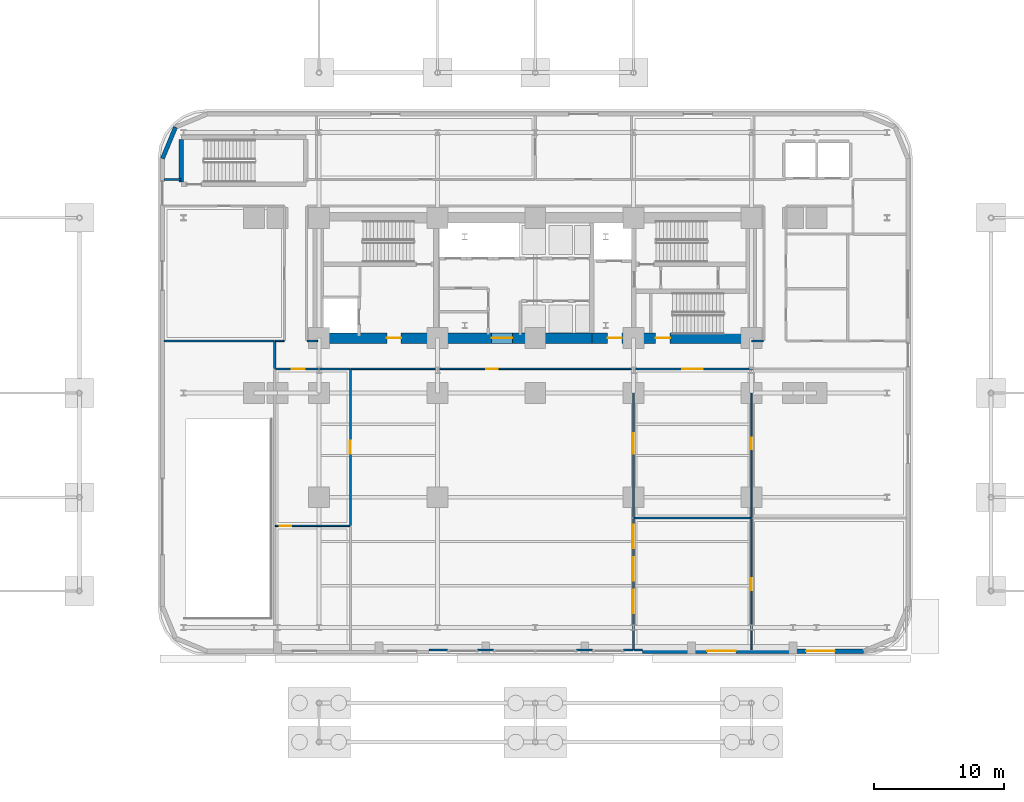
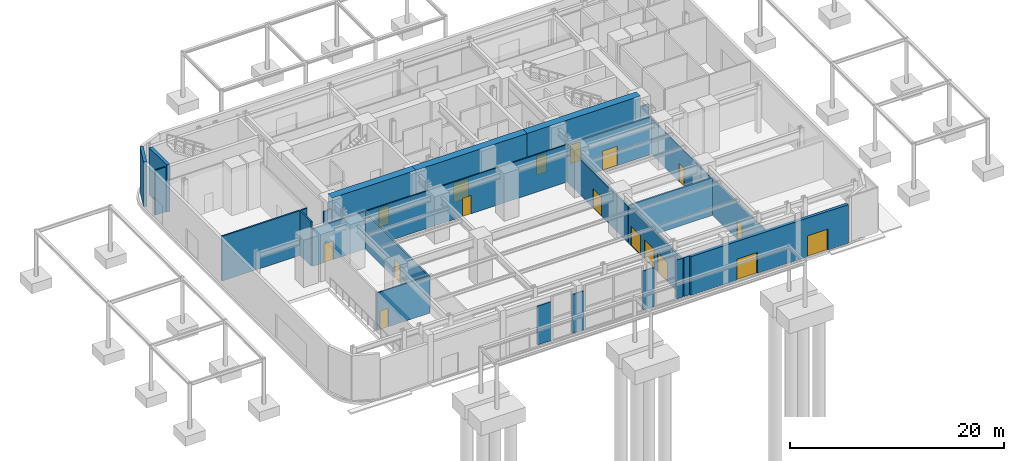
# One storey, part 12 of 21: 27 walls, 17 doors, 17 openings.
"""IFC4 building model written with IfcOpenShell, lengths in metres."""

from ifc_helpers import new_model, si_unit, direction, frame, frame_2d, origin, place, context, subcontext, project, spatial, rectangle, extrude, material, layer, layer_set, type_object, element, fill, save


model = new_model("IFC4")

# Units and contexts
model_context = context("Model", 3, precision=1e-05, world=origin(), true_north=direction((0.0, 1.0)))
body_context = subcontext(model_context, "Body", "Model", "MODEL_VIEW")
ifc_project = project(units=[si_unit("LENGTHUNIT", "METRE"), si_unit("AREAUNIT", "SQUARE_METRE"), si_unit("VOLUMEUNIT", "CUBIC_METRE"), si_unit("PLANEANGLEUNIT", "RADIAN"), si_unit("MASSUNIT", "GRAM", prefix="KILO")], contexts=[model_context])

# Site, building, storey
site_placement = place(None, origin())
site = spatial("IfcSite", under=ifc_project, at=site_placement, CompositionType="ELEMENT")
building_placement = place(site_placement, origin())
building = spatial("IfcBuilding", under=site, at=building_placement, Name="Zarnavel Station Tower", CompositionType="ELEMENT")
storey_placement = place(building_placement, origin())
storey = spatial("IfcBuildingStorey", under=building, at=storey_placement, Name="L01", CompositionType="ELEMENT", Elevation=0.0)

# Wall
ifc_material_1 = material(Name="Concrete C50/60", Category="concrete")
ifc_layer_1 = layer(ifc_material_1, 0.35009765625)
ifc_layer_set_1 = layer_set([ifc_layer_1], Name="CW_350")
wall_type_1 = type_object("IfcWallType", Name="CW_350", PredefinedType="SHEAR", material=ifc_layer_set_1)
wall_1_placement = place(storey_placement, frame((1.6201171875, 39.794921875, 0.0), z_axis=(0.0, 0.0, 1.0), x_axis=(0.0, 1.0, 0.0)))
element("IfcWall", 1, at=wall_1_placement, inside=storey, type_object=wall_type_1, Name="L01 Rear Core Shear Wall ST4-W", PredefinedType="SHEAR", context=body_context, shape_type="SweptSolid", body=[
    extrude(rectangle(XDim=3.27001953125, YDim=0.35009765625, at=frame_2d((1.635009765625, 0.0))), origin(), (0.0, 0.0, 1.0), 5.39990234375),
])

# Wall, opening, door
ifc_material_2 = material(Name="Concrete C60/75", Category="concrete")
ifc_layer_2 = layer(ifc_material_2, 0.800048828125)
ifc_layer_set_2 = layer_set([ifc_layer_2], Name="CW_800")
wall_type_2 = type_object("IfcWallType", Name="CW_800", PredefinedType="SHEAR", material=ifc_layer_set_2)
wall_2_placement = place(storey_placement, frame((21.179931640625, 27.820068359375, 0.0), z_axis=(0.0, 0.0, 1.0), x_axis=(-1.0, 0.0, 0.0)))
wall_2 = element("IfcWall", 2, at=wall_2_placement, inside=storey, type_object=wall_type_2, Name="L01 Rear Core Shear Wall S-W", PredefinedType="SHEAR", context=body_context, shape_type="SweptSolid", body=[
    extrude(rectangle(XDim=9.030029296875, YDim=0.800048828125, at=frame_2d((4.51513671875, 0.0))), origin(), (0.0, 0.0, 1.0), 5.39990234375),
])
opening_1_placement = place(wall_2_placement, frame((2.679931640625, 0.0, 0.0)))
opening_1 = element("IfcOpeningElement", 3, at=opening_1_placement, cuts=wall_2, Name="Opening FD01", PredefinedType="OPENING", context=body_context, shape_type="SweptSolid", body=[
    extrude(rectangle(XDim=1.10009765625, YDim=2.14990234375, at=frame_2d((0.550048828125, 1.074951171875))), frame((0.0, 0.409912109375, 0.0), z_axis=(0.0, -1.0, 0.0), x_axis=(1.0, 0.0, 0.0)), (0.0, 0.0, 1.0), 0.820068359375),
])
ifc_material_3 = material(Name="Painted Galvanised Steel and Hardwood Leaf", Category="steel")
door_type_1 = type_object("IfcDoorType", Name="ID_STAIR_1100", OperationType="NOTDEFINED", PredefinedType="DOOR", material=ifc_material_3)
door_1_placement = place(opening_1_placement, origin())
door_1 = element("IfcDoor", 4, at=door_1_placement, inside=storey, type_object=door_type_1, Name="L01 West Firefighting Lobby Door", OperationType="SINGLE_SWING_RIGHT", OverallHeight=2.14990234375, OverallWidth=1.10009765625, PredefinedType="DOOR", context=body_context, shape_type="SweptSolid", body=[
    extrude(rectangle(XDim=1.10009765625, YDim=2.14990234375, at=frame_2d((0.550048828125, 1.074951171875))), frame((0.0, 0.02490234375, 0.0), z_axis=(0.0, -1.0, 0.0), x_axis=(1.0, 0.0, 0.0)), (0.0, 0.0, 1.0), 0.050048828125),
])
fill(opening_1, door_1)

wall_3_placement = place(storey_placement, frame((33.14990234375, 27.820068359375, 0.0), z_axis=(0.0, 0.0, 1.0), x_axis=(-1.0, 0.0, 0.0)))
wall_3 = element("IfcWall", 5, at=wall_3_placement, inside=storey, type_object=wall_type_2, Name="L01 Rear Core Shear Wall S-M", PredefinedType="SHEAR", context=body_context, shape_type="SweptSolid", body=[
    extrude(rectangle(XDim=11.969970703125, YDim=0.800048828125, at=frame_2d((5.98486328125, 0.0))), origin(), (0.0, 0.0, 1.0), 5.39990234375),
])
opening_2_placement = place(wall_3_placement, frame((6.10009765625, 0.0, 0.0)))
opening_2 = element("IfcOpeningElement", 6, at=opening_2_placement, cuts=wall_3, Name="Opening ID03", PredefinedType="OPENING", context=body_context, shape_type="SweptSolid", body=[
    extrude(rectangle(XDim=1.60009765625, YDim=2.199951171875, at=frame_2d((0.800048828125, 1.10009765625))), frame((0.0, 0.409912109375, 0.0), z_axis=(0.0, -1.0, 0.0), x_axis=(1.0, 0.0, 0.0)), (0.0, 0.0, 1.0), 0.820068359375),
])
ifc_material_4 = material(Name="Painted Galvanised Steel and Hardwood Leaf", Category="steel")
door_type_2 = type_object("IfcDoorType", Name="ID_PUBLIC_1600", OperationType="DOUBLE_DOOR_SINGLE_SWING", PredefinedType="DOOR", material=ifc_material_4)
door_2_placement = place(opening_2_placement, origin())
door_2 = element("IfcDoor", 7, at=door_2_placement, inside=storey, type_object=door_type_2, Name="L01 Passenger Lift Lobby Double Door", OperationType="SINGLE_SWING_LEFT", OverallHeight=2.199951171875, OverallWidth=1.60009765625, PredefinedType="DOOR", context=body_context, shape_type="SweptSolid", body=[
    extrude(rectangle(XDim=1.60009765625, YDim=2.199951171875, at=frame_2d((0.800048828125, 1.10009765625))), frame((0.0, 0.02490234375, 0.0), z_axis=(0.0, -1.0, 0.0), x_axis=(1.0, 0.0, 0.0)), (0.0, 0.0, 1.0), 0.050048828125),
])
fill(opening_2, door_2)

# Wall, openings, doors
wall_4_placement = place(storey_placement, frame((45.3798828125, 27.820068359375, 0.0), z_axis=(0.0, 0.0, 1.0), x_axis=(-1.0, 0.0, 0.0)))
wall_4 = element("IfcWall", 8, at=wall_4_placement, inside=storey, type_object=wall_type_2, Name="L01 Rear Core Shear Wall S-E", PredefinedType="SHEAR", context=body_context, shape_type="SweptSolid", body=[
    extrude(rectangle(XDim=12.22998046875, YDim=0.800048828125, at=frame_2d((6.114990234375, 0.0))), origin(), (0.0, 0.0, 1.0), 5.39990234375),
])
opening_3_placement = place(wall_4_placement, frame((9.929931640625, 0.0, 0.0)))
opening_3 = element("IfcOpeningElement", 9, at=opening_3_placement, cuts=wall_4, Name="Opening FD01", PredefinedType="OPENING", context=body_context, shape_type="SweptSolid", body=[
    extrude(rectangle(XDim=1.10009765625, YDim=2.14990234375, at=frame_2d((0.550048828125, 1.074951171875))), frame((0.0, 0.409912109375, 0.0), z_axis=(0.0, -1.0, 0.0), x_axis=(1.0, 0.0, 0.0)), (0.0, 0.0, 1.0), 0.820068359375),
])
opening_4_placement = place(wall_4_placement, frame((6.22998046875, 0.0, 0.0)))
opening_4 = element("IfcOpeningElement", 10, at=opening_4_placement, cuts=wall_4, Name="Opening FD01", PredefinedType="OPENING", context=body_context, shape_type="SweptSolid", body=[
    extrude(rectangle(XDim=1.10009765625, YDim=2.14990234375, at=frame_2d((0.550048828125, 1.074951171875))), frame((0.0, 0.409912109375, 0.0), z_axis=(0.0, -1.0, 0.0), x_axis=(1.0, 0.0, 0.0)), (0.0, 0.0, 1.0), 0.820068359375),
])
door_3_placement = place(opening_3_placement, origin())
door_3 = element("IfcDoor", 11, at=door_3_placement, inside=storey, type_object=door_type_1, Name="L01 East Firefighting Lobby Door", OperationType="SINGLE_SWING_LEFT", OverallHeight=2.14990234375, OverallWidth=1.10009765625, PredefinedType="DOOR", context=body_context, shape_type="SweptSolid", body=[
    extrude(rectangle(XDim=1.10009765625, YDim=2.14990234375, at=frame_2d((0.550048828125, 1.074951171875))), frame((0.0, 0.02490234375, 0.0), z_axis=(0.0, -1.0, 0.0), x_axis=(1.0, 0.0, 0.0)), (0.0, 0.0, 1.0), 0.050048828125),
])
fill(opening_3, door_3)
door_4_placement = place(opening_4_placement, origin())
door_4 = element("IfcDoor", 12, at=door_4_placement, inside=storey, type_object=door_type_1, Name="L01 Stair ST3 Corridor Fire Door", OperationType="SINGLE_SWING_RIGHT", OverallHeight=2.14990234375, OverallWidth=1.10009765625, PredefinedType="DOOR", context=body_context, shape_type="SweptSolid", body=[
    extrude(rectangle(XDim=1.10009765625, YDim=2.14990234375, at=frame_2d((0.550048828125, 1.074951171875))), frame((0.0, 0.02490234375, 0.0), z_axis=(0.0, -1.0, 0.0), x_axis=(1.0, 0.0, 0.0)), (0.0, 0.0, 1.0), 0.050048828125),
])
fill(opening_4, door_4)

# Wall
ifc_material_5 = material(Name="Precast concrete C45/55 (Podium Basalt Frame)", Category="masonry")
ifc_layer_3 = layer(ifc_material_5, 0.320068359375)
ifc_layer_set_3 = layer_set([ifc_layer_3], Name="EW_BASALT_320")
wall_type_3 = type_object("IfcWallType", Name="EW_BASALT_320", PredefinedType="SOLIDWALL", material=ifc_layer_set_3)
wall_5_placement = place(storey_placement, frame((0.179931640625, 41.60009765625, 0.0), z_axis=(0.0, 0.0, 1.0), x_axis=(0.382700522567, 0.923872453333, 0.0)))
element("IfcWall", 13, at=wall_5_placement, inside=storey, type_object=wall_type_3, Name="L01 Exterior Basalt Masonry Frame Wall 08", PredefinedType="SOLIDWALL", context=body_context, shape_type="SweptSolid", body=[
    extrude(rectangle(XDim=2.617431640625, YDim=0.320068359375, at=frame_2d((1.30859375, 0.0))), origin(), (0.0, 0.0, 1.0), 5.10009765625),
])

# Wall, openings, doors
wall_6_placement = place(storey_placement, frame((54.0, 3.780029296875, 0.0), z_axis=(0.0, 0.0, 1.0), x_axis=(-1.0, 0.0, 0.0)))
wall_6 = element("IfcWall", 14, at=wall_6_placement, inside=storey, type_object=wall_type_3, Name="L01 South East Masonry Facade Wall", PredefinedType="SOLIDWALL", context=body_context, shape_type="SweptSolid", body=[
    extrude(rectangle(XDim=16.949951171875, YDim=0.320068359375, at=frame_2d((8.47509765625, 0.0))), origin(), (0.0, 0.0, 1.0), 4.429931640625),
])
opening_5_placement = place(wall_6_placement, frame((2.199951171875, 0.0, 0.0)))
opening_5 = element("IfcOpeningElement", 15, at=opening_5_placement, cuts=wall_6, Name="Opening ED01", PredefinedType="OPENING", context=body_context, shape_type="SweptSolid", body=[
    extrude(rectangle(XDim=2.199951171875, YDim=2.39990234375, at=frame_2d((1.10009765625, 1.199951171875))), frame((0.0, 0.169921875, 0.0), z_axis=(0.0, -1.0, 0.0), x_axis=(1.0, 0.0, 0.0)), (0.0, 0.0, 1.0), 0.340087890625),
])
opening_6_placement = place(wall_6_placement, frame((9.800048828125, 0.0, 0.0)))
opening_6 = element("IfcOpeningElement", 16, at=opening_6_placement, cuts=wall_6, Name="Opening ED01", PredefinedType="OPENING", context=body_context, shape_type="SweptSolid", body=[
    extrude(rectangle(XDim=2.199951171875, YDim=2.39990234375, at=frame_2d((1.10009765625, 1.199951171875))), frame((0.0, 0.169921875, 0.0), z_axis=(0.0, -1.0, 0.0), x_axis=(1.0, 0.0, 0.0)), (0.0, 0.0, 1.0), 0.340087890625),
])
ifc_material_6 = material(Name="Thermally Broken Black Aluminium and Laminated Safety Glass", Category="aluminium")
door_type_3 = type_object("IfcDoorType", Name="ED_EXIT_2200", OperationType="DOUBLE_DOOR_SINGLE_SWING", PredefinedType="DOOR", material=ifc_material_6)
door_5_placement = place(opening_5_placement, origin())
door_5 = element("IfcDoor", 17, at=door_5_placement, inside=storey, type_object=door_type_3, Name="L01 East Ticket Vestibule Entrance Door", OperationType="SINGLE_SWING_LEFT", OverallHeight=2.39990234375, OverallWidth=2.199951171875, PredefinedType="DOOR", context=body_context, shape_type="SweptSolid", body=[
    extrude(rectangle(XDim=2.199951171875, YDim=2.39990234375, at=frame_2d((1.10009765625, 1.199951171875))), frame((0.0, 0.02490234375, 0.0), z_axis=(0.0, -1.0, 0.0), x_axis=(1.0, 0.0, 0.0)), (0.0, 0.0, 1.0), 0.050048828125),
])
fill(opening_5, door_5)
door_6_placement = place(opening_6_placement, origin())
door_6 = element("IfcDoor", 18, at=door_6_placement, inside=storey, type_object=door_type_3, Name="L01 South Ticket Hall Exit Door", OperationType="SINGLE_SWING_LEFT", OverallHeight=2.39990234375, OverallWidth=2.199951171875, PredefinedType="DOOR", context=body_context, shape_type="SweptSolid", body=[
    extrude(rectangle(XDim=2.199951171875, YDim=2.39990234375, at=frame_2d((1.10009765625, 1.199951171875))), frame((0.0, 0.02490234375, 0.0), z_axis=(0.0, -1.0, 0.0), x_axis=(1.0, 0.0, 0.0)), (0.0, 0.0, 1.0), 0.050048828125),
])
fill(opening_6, door_6)

# Wall, opening, door
ifc_material_7 = material(Name="Gypsum Twin-Stud Acoustic Fire Partition", Category="concrete")
ifc_layer_4 = layer(ifc_material_7, 0.159912109375)
ifc_layer_set_4 = layer_set([ifc_layer_4], Name="PT_DEMISE_160")
wall_type_4 = type_object("IfcWallType", Name="PT_DEMISE_160", PredefinedType="PARTITIONING", material=ifc_layer_set_4)
wall_7_placement = place(storey_placement, frame((36.389892578125, 25.449951171875, 0.0), z_axis=(0.0, 0.0, 1.0), x_axis=(1.0, 0.0, 0.0)))
wall_7 = element("IfcWall", 19, at=wall_7_placement, inside=storey, type_object=wall_type_4, Name="L01 Partition PCOR-S-HLOB", PredefinedType="PARTITIONING", context=body_context, shape_type="SweptSolid", body=[
    extrude(rectangle(XDim=8.97021484375, YDim=0.159912109375, at=frame_2d((4.485107421875, 0.0))), origin(), (0.0, 0.0, 1.0), 4.26611328125),
])
opening_7_placement = place(wall_7_placement, frame((3.68505859375, 0.0, 0.0)))
opening_7 = element("IfcOpeningElement", 20, at=opening_7_placement, cuts=wall_7, Name="Opening ID03", PredefinedType="OPENING", context=body_context, shape_type="SweptSolid", body=[
    extrude(rectangle(XDim=1.60009765625, YDim=2.199951171875, at=frame_2d((0.800048828125, 1.10009765625))), frame((0.0, 0.08984375, 0.0), z_axis=(0.0, -1.0, 0.0), x_axis=(1.0, 0.0, 0.0)), (0.0, 0.0, 1.0), 0.179931640625),
])
door_7_placement = place(opening_7_placement, origin())
door_7 = element("IfcDoor", 21, at=door_7_placement, inside=storey, type_object=door_type_2, Name="L01 Door PCOR-S-HLOB", OperationType="SINGLE_SWING_LEFT", OverallHeight=2.199951171875, OverallWidth=1.60009765625, PredefinedType="DOOR", context=body_context, shape_type="SweptSolid", body=[
    extrude(rectangle(XDim=1.60009765625, YDim=2.199951171875, at=frame_2d((0.800048828125, 1.10009765625))), frame((0.0, 0.02490234375, 0.0), z_axis=(0.0, -1.0, 0.0), x_axis=(1.0, 0.0, 0.0)), (0.0, 0.0, 1.0), 0.050048828125),
])
fill(opening_7, door_7)

wall_8_placement = place(storey_placement, frame((8.840087890625, 25.449951171875, 0.0), z_axis=(0.0, 0.0, 1.0), x_axis=(1.0, 0.0, 0.0)))
wall_8 = element("IfcWall", 22, at=wall_8_placement, inside=storey, type_object=wall_type_4, Name="L01 Partition PCOR-S-SHP2", PredefinedType="PARTITIONING", context=body_context, shape_type="SweptSolid", body=[
    extrude(rectangle(XDim=5.719970703125, YDim=0.159912109375, at=frame_2d((2.85986328125, 0.0))), origin(), (0.0, 0.0, 1.0), 4.26611328125),
])
opening_8_placement = place(wall_8_placement, frame((1.25, 0.0, 0.0)))
opening_8 = element("IfcOpeningElement", 23, at=opening_8_placement, cuts=wall_8, Name="Opening FD02", PredefinedType="OPENING", context=body_context, shape_type="SweptSolid", body=[
    extrude(rectangle(XDim=1.0, YDim=2.14990234375, at=frame_2d((0.5, 1.074951171875))), frame((0.0, 0.08984375, 0.0), z_axis=(0.0, -1.0, 0.0), x_axis=(1.0, 0.0, 0.0)), (0.0, 0.0, 1.0), 0.179931640625),
])
ifc_material_8 = material(Name="Painted Galvanised Steel and Hardwood Leaf", Category="steel")
door_type_4 = type_object("IfcDoorType", Name="ID_ENTRY_1000", OperationType="NOTDEFINED", PredefinedType="DOOR", material=ifc_material_8)
door_8_placement = place(opening_8_placement, origin())
door_8 = element("IfcDoor", 24, at=door_8_placement, inside=storey, type_object=door_type_4, Name="L01 Door PCOR-S-SHP2", OperationType="SINGLE_SWING_RIGHT", OverallHeight=2.14990234375, OverallWidth=1.0, PredefinedType="DOOR", context=body_context, shape_type="SweptSolid", body=[
    extrude(rectangle(XDim=1.0, YDim=2.14990234375, at=frame_2d((0.5, 1.074951171875))), frame((0.0, 0.02490234375, 0.0), z_axis=(0.0, -1.0, 0.0), x_axis=(1.0, 0.0, 0.0)), (0.0, 0.0, 1.0), 0.050048828125),
])
fill(opening_8, door_8)

# Wall, openings, doors
wall_9_placement = place(storey_placement, frame((36.35009765625, 3.8798828125, 0.0), z_axis=(0.0, 0.0, 1.0), x_axis=(0.0, 1.0, 0.0)))
wall_9 = element("IfcWall", 25, at=wall_9_placement, inside=storey, type_object=wall_type_4, Name="L01 Partition CONC-TKTH", PredefinedType="PARTITIONING", context=body_context, shape_type="SweptSolid", body=[
    extrude(rectangle(XDim=10.080078125, YDim=0.159912109375, at=frame_2d((5.0400390625, 0.0))), origin(), (0.0, 0.0, 1.0), 4.26611328125),
])
opening_9_placement = place(wall_9_placement, frame((2.800048828125, 0.0, 0.0)))
opening_9 = element("IfcOpeningElement", 26, at=opening_9_placement, cuts=wall_9, Name="Opening GD01", PredefinedType="OPENING", context=body_context, shape_type="SweptSolid", body=[
    extrude(rectangle(XDim=1.800048828125, YDim=2.199951171875, at=frame_2d((0.89990234375, 1.10009765625))), frame((0.0, 0.08984375, 0.0), z_axis=(0.0, -1.0, 0.0), x_axis=(1.0, 0.0, 0.0)), (0.0, 0.0, 1.0), 0.179931640625),
])
opening_10_placement = place(wall_9_placement, frame((5.300048828125, 0.0, 0.0)))
opening_10 = element("IfcOpeningElement", 27, at=opening_10_placement, cuts=wall_9, Name="Opening GD01", PredefinedType="OPENING", context=body_context, shape_type="SweptSolid", body=[
    extrude(rectangle(XDim=1.800048828125, YDim=2.199951171875, at=frame_2d((0.89990234375, 1.10009765625))), frame((0.0, 0.08984375, 0.0), z_axis=(0.0, -1.0, 0.0), x_axis=(1.0, 0.0, 0.0)), (0.0, 0.0, 1.0), 0.179931640625),
])
opening_11_placement = place(wall_9_placement, frame((7.800048828125, 0.0, 0.0)))
opening_11 = element("IfcOpeningElement", 28, at=opening_11_placement, cuts=wall_9, Name="Opening GD01", PredefinedType="OPENING", context=body_context, shape_type="SweptSolid", body=[
    extrude(rectangle(XDim=1.800048828125, YDim=2.199951171875, at=frame_2d((0.89990234375, 1.10009765625))), frame((0.0, 0.08984375, 0.0), z_axis=(0.0, -1.0, 0.0), x_axis=(1.0, 0.0, 0.0)), (0.0, 0.0, 1.0), 0.179931640625),
])
ifc_material_9 = material(Name="Painted Galvanised Steel and Hardwood Leaf", Category="steel")
door_type_5 = type_object("IfcDoorType", Name="GD_CONC_1800", OperationType="DOUBLE_DOOR_SLIDING", PredefinedType="GATE", material=ifc_material_9)
door_9_placement = place(opening_9_placement, origin())
door_9 = element("IfcDoor", 29, at=door_9_placement, inside=storey, type_object=door_type_5, Name="L01 Station Fare-Control Sliding Gate 1", OperationType="DOUBLE_DOOR_SLIDING", OverallHeight=2.199951171875, OverallWidth=1.800048828125, PredefinedType="GATE", context=body_context, shape_type="SweptSolid", body=[
    extrude(rectangle(XDim=1.800048828125, YDim=2.199951171875, at=frame_2d((0.89990234375, 1.10009765625))), frame((0.0, 0.02490234375, 0.0), z_axis=(0.0, -1.0, 0.0), x_axis=(1.0, 0.0, 0.0)), (0.0, 0.0, 1.0), 0.050048828125),
])
fill(opening_9, door_9)
door_10_placement = place(opening_10_placement, origin())
door_10 = element("IfcDoor", 30, at=door_10_placement, inside=storey, type_object=door_type_5, Name="L01 Station Fare-Control Sliding Gate 2", OperationType="DOUBLE_DOOR_SLIDING", OverallHeight=2.199951171875, OverallWidth=1.800048828125, PredefinedType="GATE", context=body_context, shape_type="SweptSolid", body=[
    extrude(rectangle(XDim=1.800048828125, YDim=2.199951171875, at=frame_2d((0.89990234375, 1.10009765625))), frame((0.0, 0.02490234375, 0.0), z_axis=(0.0, -1.0, 0.0), x_axis=(1.0, 0.0, 0.0)), (0.0, 0.0, 1.0), 0.050048828125),
])
fill(opening_10, door_10)
door_11_placement = place(opening_11_placement, origin())
door_11 = element("IfcDoor", 31, at=door_11_placement, inside=storey, type_object=door_type_5, Name="L01 Station Fare-Control Sliding Gate 3", OperationType="DOUBLE_DOOR_SLIDING", OverallHeight=2.199951171875, OverallWidth=1.800048828125, PredefinedType="GATE", context=body_context, shape_type="SweptSolid", body=[
    extrude(rectangle(XDim=1.800048828125, YDim=2.199951171875, at=frame_2d((0.89990234375, 1.10009765625))), frame((0.0, 0.02490234375, 0.0), z_axis=(0.0, -1.0, 0.0), x_axis=(1.0, 0.0, 0.0)), (0.0, 0.0, 1.0), 0.050048828125),
])
fill(opening_11, door_11)

# Wall, opening, door
wall_10_placement = place(storey_placement, frame((36.35009765625, 14.0400390625, 0.0), z_axis=(0.0, 0.0, 1.0), x_axis=(0.0, 1.0, 0.0)))
wall_10 = element("IfcWall", 32, at=wall_10_placement, inside=storey, type_object=wall_type_4, Name="L01 Partition CONC-HLOB", PredefinedType="PARTITIONING", context=body_context, shape_type="SweptSolid", body=[
    extrude(rectangle(XDim=11.369873046875, YDim=0.159912109375, at=frame_2d((5.68505859375, 0.0))), origin(), (0.0, 0.0, 1.0), 4.072021484375),
])
opening_12_placement = place(wall_10_placement, frame((4.885009765625, 0.0, 0.0)))
opening_12 = element("IfcOpeningElement", 33, at=opening_12_placement, cuts=wall_10, Name="Opening ID03", PredefinedType="OPENING", context=body_context, shape_type="SweptSolid", body=[
    extrude(rectangle(XDim=1.60009765625, YDim=2.199951171875, at=frame_2d((0.800048828125, 1.10009765625))), frame((0.0, 0.08984375, 0.0), z_axis=(0.0, -1.0, 0.0), x_axis=(1.0, 0.0, 0.0)), (0.0, 0.0, 1.0), 0.179931640625),
])
door_12_placement = place(opening_12_placement, origin())
door_12 = element("IfcDoor", 34, at=door_12_placement, inside=storey, type_object=door_type_2, Name="L01 Door CONC-HLOB", OperationType="SINGLE_SWING_LEFT", OverallHeight=2.199951171875, OverallWidth=1.60009765625, PredefinedType="DOOR", context=body_context, shape_type="SweptSolid", body=[
    extrude(rectangle(XDim=1.60009765625, YDim=2.199951171875, at=frame_2d((0.800048828125, 1.10009765625))), frame((0.0, 0.02490234375, 0.0), z_axis=(0.0, -1.0, 0.0), x_axis=(1.0, 0.0, 0.0)), (0.0, 0.0, 1.0), 0.050048828125),
])
fill(opening_12, door_12)

wall_11_placement = place(storey_placement, frame((14.60009765625, 13.43994140625, 0.0), z_axis=(0.0, 0.0, 1.0), x_axis=(0.0, 1.0, 0.0)))
wall_11 = element("IfcWall", 35, at=wall_11_placement, inside=storey, type_object=wall_type_4, Name="L01 Partition CONC-SHP2", PredefinedType="PARTITIONING", context=body_context, shape_type="SweptSolid", body=[
    extrude(rectangle(XDim=11.969970703125, YDim=0.159912109375, at=frame_2d((5.98486328125, 0.0))), origin(), (0.0, 0.0, 1.0), 4.072021484375),
])
opening_13_placement = place(wall_11_placement, frame((5.485107421875, 0.0, 0.0)))
opening_13 = element("IfcOpeningElement", 36, at=opening_13_placement, cuts=wall_11, Name="Opening FD02", PredefinedType="OPENING", context=body_context, shape_type="SweptSolid", body=[
    extrude(rectangle(XDim=1.0, YDim=2.14990234375, at=frame_2d((0.5, 1.074951171875))), frame((0.0, 0.08984375, 0.0), z_axis=(0.0, -1.0, 0.0), x_axis=(1.0, 0.0, 0.0)), (0.0, 0.0, 1.0), 0.179931640625),
])
door_13_placement = place(opening_13_placement, origin())
door_13 = element("IfcDoor", 37, at=door_13_placement, inside=storey, type_object=door_type_4, Name="L01 Door CONC-SHP2", OperationType="SINGLE_SWING_LEFT", OverallHeight=2.14990234375, OverallWidth=1.0, PredefinedType="DOOR", context=body_context, shape_type="SweptSolid", body=[
    extrude(rectangle(XDim=1.0, YDim=2.14990234375, at=frame_2d((0.5, 1.074951171875))), frame((0.0, 0.02490234375, 0.0), z_axis=(0.0, -1.0, 0.0), x_axis=(1.0, 0.0, 0.0)), (0.0, 0.0, 1.0), 0.050048828125),
])
fill(opening_13, door_13)

# Walls
wall_12_placement = place(storey_placement, frame((36.389892578125, 14.0, 0.0), z_axis=(0.0, 0.0, 1.0), x_axis=(1.0, 0.0, 0.0)))
element("IfcWall", 38, at=wall_12_placement, inside=storey, type_object=wall_type_4, Name="L01 Partition TKTH-HLOB", PredefinedType="PARTITIONING", context=body_context, shape_type="SweptSolid", body=[
    extrude(rectangle(XDim=8.97021484375, YDim=0.159912109375, at=frame_2d((4.485107421875, 0.0))), origin(), (0.0, 0.0, 1.0), 4.26611328125),
])
wall_13_placement = place(storey_placement, frame((11.280029296875, 27.60009765625, 0.0), z_axis=(0.0, 0.0, 1.0), x_axis=(1.0, 0.0, 0.0)))
element("IfcWall", 39, at=wall_13_placement, inside=storey, type_object=wall_type_4, Name="L01 Enclosure Wall PCOR-S", PredefinedType="PARTITIONING", context=body_context, shape_type="SweptSolid", body=[
    extrude(rectangle(XDim=0.840087890625, YDim=0.159912109375, at=frame_2d((0.419921875, 0.0))), origin(), (0.0, 0.0, 1.0), 4.072021484375),
])
wall_14_placement = place(storey_placement, frame((45.409912109375, 27.60009765625, 0.0), z_axis=(0.0, 0.0, 1.0), x_axis=(1.0, 0.0, 0.0)))
element("IfcWall", 40, at=wall_14_placement, inside=storey, type_object=wall_type_4, Name="L01 Enclosure Wall PCOR-S", PredefinedType="PARTITIONING", context=body_context, shape_type="SweptSolid", body=[
    extrude(rectangle(XDim=0.91015625, YDim=0.159912109375, at=frame_2d((0.455078125, 0.0))), origin(), (0.0, 0.0, 1.0), 4.072021484375),
])
wall_15_placement = place(storey_placement, frame((8.800048828125, 25.47998046875, 0.0), z_axis=(0.0, 0.0, 1.0), x_axis=(0.0, 1.0, 0.0)))
element("IfcWall", 41, at=wall_15_placement, inside=storey, type_object=wall_type_4, Name="L01 Enclosure Wall PCOR-S", PredefinedType="PARTITIONING", context=body_context, shape_type="SweptSolid", body=[
    extrude(rectangle(XDim=2.090087890625, YDim=0.159912109375, at=frame_2d((1.044921875, 0.0))), origin(), (0.0, 0.0, 1.0), 5.10009765625),
])
wall_16_placement = place(storey_placement, frame((0.31005859375, 40.0, 0.0), z_axis=(0.0, 0.0, 1.0), x_axis=(1.0, 0.0, 0.0)))
element("IfcWall", 42, at=wall_16_placement, inside=storey, type_object=wall_type_4, Name="L01 Enclosure Wall PCOR-N", PredefinedType="PARTITIONING", context=body_context, shape_type="SweptSolid", body=[
    extrude(rectangle(XDim=1.280029296875, YDim=0.159912109375, at=frame_2d((0.64013671875, 0.0))), origin(), (0.0, 0.0, 1.0), 5.10009765625),
])
wall_17_placement = place(storey_placement, frame((0.31005859375, 27.60009765625, 0.0), z_axis=(0.0, 0.0, 1.0), x_axis=(1.0, 0.0, 0.0)))
element("IfcWall", 43, at=wall_17_placement, inside=storey, type_object=wall_type_4, Name="L01 Enclosure Wall PNW", PredefinedType="PARTITIONING", context=body_context, shape_type="SweptSolid", body=[
    extrude(rectangle(XDim=8.4599609375, YDim=0.159912109375, at=frame_2d((4.22998046875, 0.0))), origin(), (0.0, 0.0, 1.0), 5.10009765625),
])
wall_18_placement = place(storey_placement, frame((20.6298828125, 3.8798828125, 0.0), z_axis=(0.0, 0.0, 1.0), x_axis=(1.0, 0.0, 0.0)))
element("IfcWall", 44, at=wall_18_placement, inside=storey, type_object=wall_type_4, Name="L01 Enclosure Wall CONC", PredefinedType="PARTITIONING", context=body_context, shape_type="SweptSolid", body=[
    extrude(rectangle(XDim=1.440185546875, YDim=0.159912109375, at=frame_2d((0.72021484375, 0.0))), origin(), (0.0, 0.0, 1.0), 4.429931640625),
])
for number, where, z_axis, x_axis, name in (
    (45, (24.385986328125, 3.8798828125, 0.0), (0.0, 0.0, 1.0), (1.0, 0.0, 0.0), "L01 Enclosure Wall CONC"),
    (46, (31.986083984375, 3.8798828125, 0.0), (0.0, 0.0, 1.0), (1.0, 0.0, 0.0), "L01 Enclosure Wall CONC"),
):
    element("IfcWall", number, at=place(storey_placement, frame(where, z_axis=z_axis, x_axis=x_axis)), inside=storey, type_object=wall_type_4, Name=name, PredefinedType="PARTITIONING", context=body_context, shape_type="SweptSolid", body=[
        extrude(rectangle(XDim=1.22802734375, YDim=0.159912109375, at=frame_2d((0.614013671875, 0.0))), origin(), (0.0, 0.0, 1.0), 4.429931640625),
    ])
wall_19_placement = place(storey_placement, frame((35.580078125, 3.8798828125, 0.0), z_axis=(0.0, 0.0, 1.0), x_axis=(1.0, 0.0, 0.0)))
element("IfcWall", 47, at=wall_19_placement, inside=storey, type_object=wall_type_4, Name="L01 Enclosure Wall CONC", PredefinedType="PARTITIONING", context=body_context, shape_type="SweptSolid", body=[
    extrude(rectangle(XDim=0.739990234375, YDim=0.159912109375, at=frame_2d((0.3701171875, 0.0))), origin(), (0.0, 0.0, 1.0), 4.429931640625),
])
wall_20_placement = place(storey_placement, frame((36.3798828125, 3.8798828125, 0.0), z_axis=(0.0, 0.0, 1.0), x_axis=(1.0, 0.0, 0.0)))
element("IfcWall", 48, at=wall_20_placement, inside=storey, type_object=wall_type_4, Name="L01 Enclosure Wall TKTH", PredefinedType="PARTITIONING", context=body_context, shape_type="SweptSolid", body=[
    extrude(rectangle(XDim=0.64013671875, YDim=0.159912109375, at=frame_2d((0.320068359375, 0.0))), origin(), (0.0, 0.0, 1.0), 4.429931640625),
])
ifc_material_10 = material(Name="Gypsum Metal-Stud Interior Partition", Category="concrete")
ifc_layer_5 = layer(ifc_material_10, 0.1201171875)
ifc_layer_set_5 = layer_set([ifc_layer_5], Name="PT_ROOM_120")
wall_type_5 = type_object("IfcWallType", Name="PT_ROOM_120", PredefinedType="PARTITIONING", material=ifc_layer_set_5)
wall_21_placement = place(storey_placement, frame((8.840087890625, 27.60009765625, 0.0), z_axis=(0.0, 0.0, 1.0), x_axis=(1.0, 0.0, 0.0)))
element("IfcWall", 49, at=wall_21_placement, inside=storey, type_object=wall_type_5, Name="L01 Partition PCOR-S-PNW", PredefinedType="PARTITIONING", context=body_context, shape_type="SweptSolid", body=[
    extrude(rectangle(XDim=0.669921875, YDim=0.1201171875, at=frame_2d((0.3349609375, 0.0))), origin(), (0.0, 0.0, 1.0), 5.10009765625),
])

# Wall, opening, door
wall_22_placement = place(storey_placement, frame((14.639892578125, 25.449951171875, 0.0), z_axis=(0.0, 0.0, 1.0), x_axis=(1.0, 0.0, 0.0)))
wall_22 = element("IfcWall", 50, at=wall_22_placement, inside=storey, type_object=wall_type_5, Name="L01 Partition PCOR-S-CONC", PredefinedType="PARTITIONING", context=body_context, shape_type="SweptSolid", body=[
    extrude(rectangle(XDim=21.670166015625, YDim=0.1201171875, at=frame_2d((10.8349609375, 0.0))), origin(), (0.0, 0.0, 1.0), 4.26611328125),
])
opening_14_placement = place(wall_22_placement, frame((10.385009765625, 0.0, 0.0)))
opening_14 = element("IfcOpeningElement", 51, at=opening_14_placement, cuts=wall_22, Name="Opening ID01", PredefinedType="OPENING", context=body_context, shape_type="SweptSolid", body=[
    extrude(rectangle(XDim=0.89990234375, YDim=2.10009765625, at=frame_2d((0.449951171875, 1.050048828125))), frame((0.0, 0.070068359375, 0.0), z_axis=(0.0, -1.0, 0.0), x_axis=(1.0, 0.0, 0.0)), (0.0, 0.0, 1.0), 0.14013671875),
])
ifc_material_11 = material(Name="Painted Galvanised Steel and Hardwood Leaf", Category="steel")
door_type_6 = type_object("IfcDoorType", Name="ID_ROOM_900", OperationType="NOTDEFINED", PredefinedType="DOOR", material=ifc_material_11)
door_14_placement = place(opening_14_placement, origin())
door_14 = element("IfcDoor", 52, at=door_14_placement, inside=storey, type_object=door_type_6, Name="L01 Door PCOR-S-CONC", OperationType="SINGLE_SWING_RIGHT", OverallHeight=2.10009765625, OverallWidth=0.89990234375, PredefinedType="DOOR", context=body_context, shape_type="SweptSolid", body=[
    extrude(rectangle(XDim=0.89990234375, YDim=2.10009765625, at=frame_2d((0.449951171875, 1.050048828125))), frame((0.0, 0.02490234375, 0.0), z_axis=(0.0, -1.0, 0.0), x_axis=(1.0, 0.0, 0.0)), (0.0, 0.0, 1.0), 0.050048828125),
])
fill(opening_14, door_14)

wall_23_placement = place(storey_placement, frame((45.39990234375, 3.8798828125, 0.0), z_axis=(0.0, 0.0, 1.0), x_axis=(0.0, 1.0, 0.0)))
wall_23 = element("IfcWall", 53, at=wall_23_placement, inside=storey, type_object=wall_type_5, Name="L01 Partition TKTH-TKTE", PredefinedType="PARTITIONING", context=body_context, shape_type="SweptSolid", body=[
    extrude(rectangle(XDim=10.080078125, YDim=0.1201171875, at=frame_2d((5.0400390625, 0.0))), origin(), (0.0, 0.0, 1.0), 4.26611328125),
])
opening_15_placement = place(wall_23_placement, frame((4.590087890625, 0.0, 0.0)))
opening_15 = element("IfcOpeningElement", 54, at=opening_15_placement, cuts=wall_23, Name="Opening ID01", PredefinedType="OPENING", context=body_context, shape_type="SweptSolid", body=[
    extrude(rectangle(XDim=0.89990234375, YDim=2.10009765625, at=frame_2d((0.449951171875, 1.050048828125))), frame((0.0, 0.070068359375, 0.0), z_axis=(0.0, -1.0, 0.0), x_axis=(1.0, 0.0, 0.0)), (0.0, 0.0, 1.0), 0.14013671875),
])
door_15_placement = place(opening_15_placement, origin())
door_15 = element("IfcDoor", 55, at=door_15_placement, inside=storey, type_object=door_type_6, Name="L01 Door TKTH-TKTE", OperationType="SINGLE_SWING_RIGHT", OverallHeight=2.10009765625, OverallWidth=0.89990234375, PredefinedType="DOOR", context=body_context, shape_type="SweptSolid", body=[
    extrude(rectangle(XDim=0.89990234375, YDim=2.10009765625, at=frame_2d((0.449951171875, 1.050048828125))), frame((0.0, 0.02490234375, 0.0), z_axis=(0.0, -1.0, 0.0), x_axis=(1.0, 0.0, 0.0)), (0.0, 0.0, 1.0), 0.050048828125),
])
fill(opening_15, door_15)

wall_24_placement = place(storey_placement, frame((45.39990234375, 14.0400390625, 0.0), z_axis=(0.0, 0.0, 1.0), x_axis=(0.0, 1.0, 0.0)))
wall_24 = element("IfcWall", 56, at=wall_24_placement, inside=storey, type_object=wall_type_5, Name="L01 Partition HLOB-HLUG", PredefinedType="PARTITIONING", context=body_context, shape_type="SweptSolid", body=[
    extrude(rectangle(XDim=11.369873046875, YDim=0.1201171875, at=frame_2d((5.68505859375, 0.0))), origin(), (0.0, 0.0, 1.0), 4.072021484375),
])
opening_16_placement = place(wall_24_placement, frame((5.235107421875, 0.0, 0.0)))
opening_16 = element("IfcOpeningElement", 57, at=opening_16_placement, cuts=wall_24, Name="Opening ID01", PredefinedType="OPENING", context=body_context, shape_type="SweptSolid", body=[
    extrude(rectangle(XDim=0.89990234375, YDim=2.10009765625, at=frame_2d((0.449951171875, 1.050048828125))), frame((0.0, 0.070068359375, 0.0), z_axis=(0.0, -1.0, 0.0), x_axis=(1.0, 0.0, 0.0)), (0.0, 0.0, 1.0), 0.14013671875),
])
door_16_placement = place(opening_16_placement, origin())
door_16 = element("IfcDoor", 58, at=door_16_placement, inside=storey, type_object=door_type_6, Name="L01 Door HLOB-HLUG", OperationType="SINGLE_SWING_LEFT", OverallHeight=2.10009765625, OverallWidth=0.89990234375, PredefinedType="DOOR", context=body_context, shape_type="SweptSolid", body=[
    extrude(rectangle(XDim=0.89990234375, YDim=2.10009765625, at=frame_2d((0.449951171875, 1.050048828125))), frame((0.0, 0.02490234375, 0.0), z_axis=(0.0, -1.0, 0.0), x_axis=(1.0, 0.0, 0.0)), (0.0, 0.0, 1.0), 0.050048828125),
])
fill(opening_16, door_16)

wall_25_placement = place(storey_placement, frame((8.840087890625, 13.39990234375, 0.0), z_axis=(0.0, 0.0, 1.0), x_axis=(1.0, 0.0, 0.0)))
wall_25 = element("IfcWall", 59, at=wall_25_placement, inside=storey, type_object=wall_type_5, Name="L01 Partition SHP1-SHP2", PredefinedType="PARTITIONING", context=body_context, shape_type="SweptSolid", body=[
    extrude(rectangle(XDim=5.719970703125, YDim=0.1201171875, at=frame_2d((2.85986328125, 0.0))), origin(), (0.0, 0.0, 1.0), 4.26611328125),
])
opening_17_placement = place(wall_25_placement, frame((0.3291015625, 0.0, 0.0)))
opening_17 = element("IfcOpeningElement", 60, at=opening_17_placement, cuts=wall_25, Name="Opening ID01", PredefinedType="OPENING", context=body_context, shape_type="SweptSolid", body=[
    extrude(rectangle(XDim=0.89990234375, YDim=2.10009765625, at=frame_2d((0.449951171875, 1.050048828125))), frame((0.0, 0.070068359375, 0.0), z_axis=(0.0, -1.0, 0.0), x_axis=(1.0, 0.0, 0.0)), (0.0, 0.0, 1.0), 0.14013671875),
])
door_17_placement = place(opening_17_placement, origin())
door_17 = element("IfcDoor", 61, at=door_17_placement, inside=storey, type_object=door_type_6, Name="L01 Door SHP1-SHP2", OperationType="SINGLE_SWING_LEFT", OverallHeight=2.10009765625, OverallWidth=0.89990234375, PredefinedType="DOOR", context=body_context, shape_type="SweptSolid", body=[
    extrude(rectangle(XDim=0.89990234375, YDim=2.10009765625, at=frame_2d((0.449951171875, 1.050048828125))), frame((0.0, 0.02490234375, 0.0), z_axis=(0.0, -1.0, 0.0), x_axis=(1.0, 0.0, 0.0)), (0.0, 0.0, 1.0), 0.050048828125),
])
fill(opening_17, door_17)

save(model, "model.ifc")
